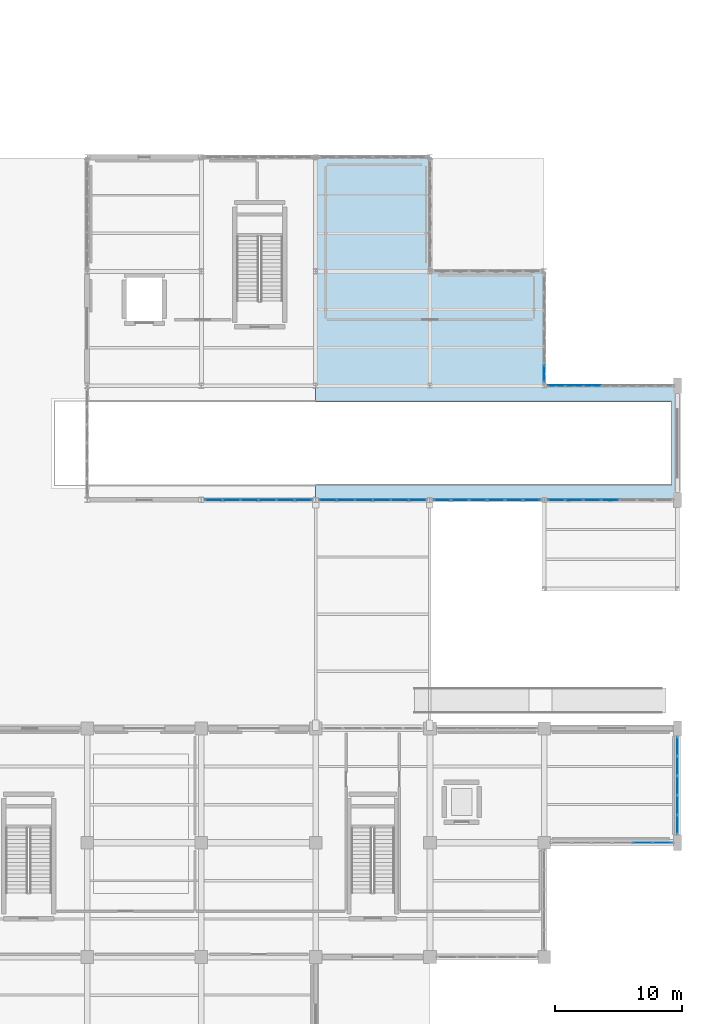
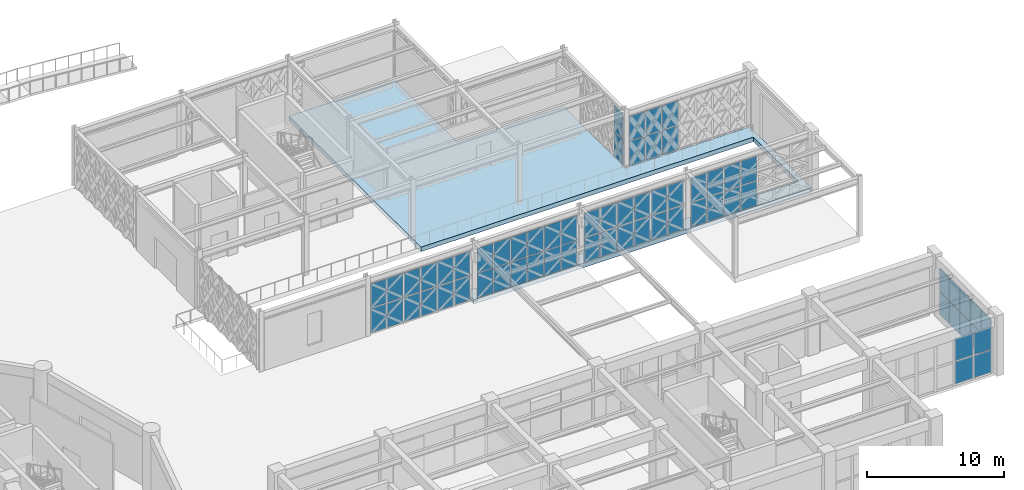
# One storey, part 111 of 140: 66 plates, 1 slab, 8 elements without a shape of their own.
"""IFC4 building model written with IfcOpenShell, lengths in metres."""

from ifc_helpers import new_model, si_unit, direction, frame, origin, origin_2d, place, context, subcontext, project, spatial, polyline, rectangle, outline, extrude, material, layer, layer_set, type_object, element, aggregate, save


model = new_model("IFC4")

# Units and contexts
model_context = context("Model", 3, precision=1e-05, world=origin(), true_north=direction((0.0, 1.0)))
body_context = subcontext(model_context, "Body", "Model", "MODEL_VIEW")
ifc_project = project(units=[si_unit("LENGTHUNIT", "METRE"), si_unit("AREAUNIT", "SQUARE_METRE"), si_unit("VOLUMEUNIT", "CUBIC_METRE"), si_unit("PLANEANGLEUNIT", "RADIAN"), si_unit("MASSUNIT", "GRAM", prefix="KILO")], contexts=[model_context])

# Site, building, storey
site_placement = place(None, origin())
site = spatial("IfcSite", under=ifc_project, at=site_placement, CompositionType="ELEMENT")
building_placement = place(site_placement, origin())
building = spatial("IfcBuilding", under=site, at=building_placement, Name="Haizhuo Lancet Aquarium", CompositionType="ELEMENT")
storey_placement = place(building_placement, origin())
storey = spatial("IfcBuildingStorey", under=building, at=storey_placement, Name="L00", CompositionType="ELEMENT", Elevation=0.0)

# Curtain wall, plates
ifc_material_1 = material(Name="Aluminium 6063-T6", Category="aluminium")
curtain_wall_type_1 = type_object("IfcCurtainWallType", Name="CWO-9610x4220", PredefinedType="NOTDEFINED", material=ifc_material_1)
curtain_wall_1_placement = place(storey_placement, origin())
curtain_wall_1 = element("IfcCurtainWall", 1, at=curtain_wall_1_placement, inside=storey, type_object=curtain_wall_type_1, Name="L00 curtain wall CW-V3-L00-033", PredefinedType="NOTDEFINED")
ifc_material_2 = material(Name="Laminated Low-E Glass", Category="glass")
ifc_layer_1 = layer(ifc_material_2, 0.028076171875)
ifc_layer_set_1 = layer_set([ifc_layer_1], Name="Laminated Low-E Glass")
plate_type_1 = type_object("IfcPlateType", Name="CW-PNL-1", PredefinedType="CURTAIN_PANEL", material=ifc_layer_set_1)
plate_1_placement = place(storey_placement, frame((81.333984375, -18.0, 0.080078125), z_axis=(0.0, 0.0, 1.0), x_axis=(-1.0, 0.0, 0.0)))
plate_1 = element("IfcPlate", 2, at=plate_1_placement, type_object=plate_type_1, Name="CWO-96x42 panel 1.1", PredefinedType="CURTAIN_PANEL", context=body_context, shape_type="SweptSolid", body=[
    extrude(rectangle(XDim=1.48193359375, YDim=0.028076171875, at=origin_2d()), origin(), (0.0, 0.0, 1.0), 1.989990234375),
])
plate_2_placement = place(storey_placement, frame((81.333984375, -18.0, 2.14990234375), z_axis=(0.0, 0.0, 1.0), x_axis=(-1.0, 0.0, 0.0)))
plate_2 = element("IfcPlate", 3, at=plate_2_placement, type_object=plate_type_1, Name="CWO-96x42 panel 1.2", PredefinedType="CURTAIN_PANEL", context=body_context, shape_type="SweptSolid", body=[
    extrude(rectangle(XDim=1.48193359375, YDim=0.028076171875, at=origin_2d()), origin(), (0.0, 0.0, 1.0), 1.989990234375),
])
plate_3_placement = place(storey_placement, frame((79.751953125, -18.0, 0.080078125), z_axis=(0.0, 0.0, 1.0), x_axis=(-1.0, 0.0, 0.0)))
plate_3 = element("IfcPlate", 4, at=plate_3_placement, type_object=plate_type_1, Name="CWO-96x42 panel 2.1", PredefinedType="CURTAIN_PANEL", context=body_context, shape_type="SweptSolid", body=[
    extrude(rectangle(XDim=1.52197265625, YDim=0.028076171875, at=origin_2d()), origin(), (0.0, 0.0, 1.0), 1.989990234375),
])
plate_4_placement = place(storey_placement, frame((79.751953125, -18.0, 2.14990234375), z_axis=(0.0, 0.0, 1.0), x_axis=(-1.0, 0.0, 0.0)))
plate_4 = element("IfcPlate", 5, at=plate_4_placement, type_object=plate_type_1, Name="CWO-96x42 panel 2.2", PredefinedType="CURTAIN_PANEL", context=body_context, shape_type="SweptSolid", body=[
    extrude(rectangle(XDim=1.52197265625, YDim=0.028076171875, at=origin_2d()), origin(), (0.0, 0.0, 1.0), 1.989990234375),
])
aggregate(curtain_wall_1, [plate_1, plate_2, plate_3, plate_4])

curtain_wall_type_2 = type_object("IfcCurtainWallType", Name="CWD-9910x4530", PredefinedType="NOTDEFINED", material=ifc_material_1)
curtain_wall_2_placement = place(storey_placement, origin())
curtain_wall_2 = element("IfcCurtainWall", 6, at=curtain_wall_2_placement, inside=storey, type_object=curtain_wall_type_2, Name="L00 curtain wall CW-V7-L00-277", PredefinedType="NOTDEFINED")
plate_5_placement = place(storey_placement, frame((72.968994140625, 18.0, 0.06494140625), z_axis=(0.0, 0.0, 1.0), x_axis=(1.0, 0.0, 0.0)))
plate_5 = element("IfcPlate", 7, at=plate_5_placement, type_object=plate_type_1, Name="CWD-99x45 panel 1.1", PredefinedType="CURTAIN_PANEL", context=body_context, shape_type="SweptSolid", body=[
    extrude(rectangle(XDim=1.318115234375, YDim=0.028076171875, at=origin_2d()), origin(), (0.0, 0.0, 1.0), 2.16796875),
])
plate_6_placement = place(storey_placement, frame((72.968994140625, 18.0, 2.298583984375), z_axis=(0.0, 0.0, 1.0), x_axis=(1.0, 0.0, 0.0)))
plate_6 = element("IfcPlate", 8, at=plate_6_placement, type_object=plate_type_1, Name="CWD-99x45 panel 1.2", PredefinedType="CURTAIN_PANEL", context=body_context, shape_type="SweptSolid", body=[
    extrude(rectangle(XDim=1.318115234375, YDim=0.028076171875, at=origin_2d()), origin(), (0.0, 0.0, 1.0), 2.1689453125),
])
plate_7_placement = place(storey_placement, frame((74.368896484375, 18.0, 0.06494140625), z_axis=(0.0, 0.0, 1.0), x_axis=(1.0, 0.0, 0.0)))
plate_7 = element("IfcPlate", 9, at=plate_7_placement, type_object=plate_type_1, Name="CWD-99x45 panel 2.1", PredefinedType="CURTAIN_PANEL", context=body_context, shape_type="SweptSolid", body=[
    extrude(rectangle(XDim=1.35107421875, YDim=0.028076171875, at=origin_2d()), origin(), (0.0, 0.0, 1.0), 2.16796875),
])
plate_8_placement = place(storey_placement, frame((74.368896484375, 18.0, 2.298583984375), z_axis=(0.0, 0.0, 1.0), x_axis=(1.0, 0.0, 0.0)))
plate_8 = element("IfcPlate", 10, at=plate_8_placement, type_object=plate_type_1, Name="CWD-99x45 panel 2.2", PredefinedType="CURTAIN_PANEL", context=body_context, shape_type="SweptSolid", body=[
    extrude(rectangle(XDim=1.35107421875, YDim=0.028076171875, at=origin_2d()), origin(), (0.0, 0.0, 1.0), 2.1689453125),
])
plate_9_placement = place(storey_placement, frame((75.783935546875, 18.0, 0.06494140625), z_axis=(0.0, 0.0, 1.0), x_axis=(1.0, 0.0, 0.0)))
plate_9 = element("IfcPlate", 11, at=plate_9_placement, type_object=plate_type_1, Name="CWD-99x45 panel 3.1", PredefinedType="CURTAIN_PANEL", context=body_context, shape_type="SweptSolid", body=[
    extrude(rectangle(XDim=1.35107421875, YDim=0.028076171875, at=origin_2d()), origin(), (0.0, 0.0, 1.0), 2.16796875),
])
plate_10_placement = place(storey_placement, frame((75.783935546875, 18.0, 2.298583984375), z_axis=(0.0, 0.0, 1.0), x_axis=(1.0, 0.0, 0.0)))
plate_10 = element("IfcPlate", 12, at=plate_10_placement, type_object=plate_type_1, Name="CWD-99x45 panel 3.2", PredefinedType="CURTAIN_PANEL", context=body_context, shape_type="SweptSolid", body=[
    extrude(rectangle(XDim=1.35107421875, YDim=0.028076171875, at=origin_2d()), origin(), (0.0, 0.0, 1.0), 2.1689453125),
])
aggregate(curtain_wall_2, [plate_5, plate_6, plate_7, plate_8, plate_9, plate_10])

curtain_wall_type_3 = type_object("IfcCurtainWallType", Name="CWO-8510x4530", PredefinedType="NOTDEFINED", material=ifc_material_1)
curtain_wall_3_placement = place(storey_placement, origin())
curtain_wall_3 = element("IfcCurtainWall", 13, at=curtain_wall_3_placement, inside=storey, type_object=curtain_wall_type_3, Name="L00 curtain wall CW-V7-L00-281", PredefinedType="NOTDEFINED")
plate_11_placement = place(storey_placement, frame((53.027099609375, 9.0, 0.07568359375), z_axis=(0.0, 0.0, 1.0), x_axis=(-1.0, 0.0, 0.0)))
plate_11 = element("IfcPlate", 14, at=plate_11_placement, type_object=plate_type_1, Name="CWO-85x45 panel 1.1", PredefinedType="CURTAIN_PANEL", context=body_context, shape_type="SweptSolid", body=[
    extrude(rectangle(XDim=1.305908203125, YDim=0.028076171875, at=origin_2d()), origin(), (0.0, 0.0, 1.0), 2.153076171875),
])
plate_12_placement = place(storey_placement, frame((53.027099609375, 9.0, 2.302734375), z_axis=(0.0, 0.0, 1.0), x_axis=(-1.0, 0.0, 0.0)))
plate_12 = element("IfcPlate", 15, at=plate_12_placement, type_object=plate_type_1, Name="CWO-85x45 panel 1.2", PredefinedType="CURTAIN_PANEL", context=body_context, shape_type="SweptSolid", body=[
    extrude(rectangle(XDim=1.305908203125, YDim=0.028076171875, at=origin_2d()), origin(), (0.0, 0.0, 1.0), 2.154052734375),
])
plate_13_placement = place(storey_placement, frame((51.626953125, 9.0, 0.07568359375), z_axis=(0.0, 0.0, 1.0), x_axis=(-1.0, 0.0, 0.0)))
plate_13 = element("IfcPlate", 16, at=plate_13_placement, type_object=plate_type_1, Name="CWO-85x45 panel 2.1", PredefinedType="CURTAIN_PANEL", context=body_context, shape_type="SweptSolid", body=[
    extrude(rectangle(XDim=1.343017578125, YDim=0.028076171875, at=origin_2d()), origin(), (0.0, 0.0, 1.0), 2.153076171875),
])
plate_14_placement = place(storey_placement, frame((51.626953125, 9.0, 2.302734375), z_axis=(0.0, 0.0, 1.0), x_axis=(-1.0, 0.0, 0.0)))
plate_14 = element("IfcPlate", 17, at=plate_14_placement, type_object=plate_type_1, Name="CWO-85x45 panel 2.2", PredefinedType="CURTAIN_PANEL", context=body_context, shape_type="SweptSolid", body=[
    extrude(rectangle(XDim=1.343017578125, YDim=0.028076171875, at=origin_2d()), origin(), (0.0, 0.0, 1.0), 2.154052734375),
])
plate_15_placement = place(storey_placement, frame((50.208984375, 9.0, 0.07568359375), z_axis=(0.0, 0.0, 1.0), x_axis=(-1.0, 0.0, 0.0)))
plate_15 = element("IfcPlate", 18, at=plate_15_placement, type_object=plate_type_1, Name="CWO-85x45 panel 3.1", PredefinedType="CURTAIN_PANEL", context=body_context, shape_type="SweptSolid", body=[
    extrude(rectangle(XDim=1.343017578125, YDim=0.028076171875, at=origin_2d()), origin(), (0.0, 0.0, 1.0), 2.153076171875),
])
plate_16_placement = place(storey_placement, frame((50.208984375, 9.0, 2.302734375), z_axis=(0.0, 0.0, 1.0), x_axis=(-1.0, 0.0, 0.0)))
plate_16 = element("IfcPlate", 19, at=plate_16_placement, type_object=plate_type_1, Name="CWO-85x45 panel 3.2", PredefinedType="CURTAIN_PANEL", context=body_context, shape_type="SweptSolid", body=[
    extrude(rectangle(XDim=1.343017578125, YDim=0.028076171875, at=origin_2d()), origin(), (0.0, 0.0, 1.0), 2.154052734375),
])
plate_17_placement = place(storey_placement, frame((48.791015625, 9.0, 0.07568359375), z_axis=(0.0, 0.0, 1.0), x_axis=(-1.0, 0.0, 0.0)))
plate_17 = element("IfcPlate", 20, at=plate_17_placement, type_object=plate_type_1, Name="CWO-85x45 panel 4.1", PredefinedType="CURTAIN_PANEL", context=body_context, shape_type="SweptSolid", body=[
    extrude(rectangle(XDim=1.343017578125, YDim=0.028076171875, at=origin_2d()), origin(), (0.0, 0.0, 1.0), 2.153076171875),
])
plate_18_placement = place(storey_placement, frame((48.791015625, 9.0, 2.302734375), z_axis=(0.0, 0.0, 1.0), x_axis=(-1.0, 0.0, 0.0)))
plate_18 = element("IfcPlate", 21, at=plate_18_placement, type_object=plate_type_1, Name="CWO-85x45 panel 4.2", PredefinedType="CURTAIN_PANEL", context=body_context, shape_type="SweptSolid", body=[
    extrude(rectangle(XDim=1.343017578125, YDim=0.028076171875, at=origin_2d()), origin(), (0.0, 0.0, 1.0), 2.154052734375),
])
plate_19_placement = place(storey_placement, frame((47.373046875, 9.0, 0.07568359375), z_axis=(0.0, 0.0, 1.0), x_axis=(-1.0, 0.0, 0.0)))
plate_19 = element("IfcPlate", 22, at=plate_19_placement, type_object=plate_type_1, Name="CWO-85x45 panel 5.1", PredefinedType="CURTAIN_PANEL", context=body_context, shape_type="SweptSolid", body=[
    extrude(rectangle(XDim=1.343017578125, YDim=0.028076171875, at=origin_2d()), origin(), (0.0, 0.0, 1.0), 2.153076171875),
])
plate_20_placement = place(storey_placement, frame((47.373046875, 9.0, 2.302734375), z_axis=(0.0, 0.0, 1.0), x_axis=(-1.0, 0.0, 0.0)))
plate_20 = element("IfcPlate", 23, at=plate_20_placement, type_object=plate_type_1, Name="CWO-85x45 panel 5.2", PredefinedType="CURTAIN_PANEL", context=body_context, shape_type="SweptSolid", body=[
    extrude(rectangle(XDim=1.343017578125, YDim=0.028076171875, at=origin_2d()), origin(), (0.0, 0.0, 1.0), 2.154052734375),
])
plate_21_placement = place(storey_placement, frame((45.972900390625, 9.0, 0.07568359375), z_axis=(0.0, 0.0, 1.0), x_axis=(-1.0, 0.0, 0.0)))
plate_21 = element("IfcPlate", 24, at=plate_21_placement, type_object=plate_type_1, Name="CWO-85x45 panel 6.1", PredefinedType="CURTAIN_PANEL", context=body_context, shape_type="SweptSolid", body=[
    extrude(rectangle(XDim=1.305908203125, YDim=0.028076171875, at=origin_2d()), origin(), (0.0, 0.0, 1.0), 2.153076171875),
])
plate_22_placement = place(storey_placement, frame((45.972900390625, 9.0, 2.302734375), z_axis=(0.0, 0.0, 1.0), x_axis=(-1.0, 0.0, 0.0)))
plate_22 = element("IfcPlate", 25, at=plate_22_placement, type_object=plate_type_1, Name="CWO-85x45 panel 6.2", PredefinedType="CURTAIN_PANEL", context=body_context, shape_type="SweptSolid", body=[
    extrude(rectangle(XDim=1.305908203125, YDim=0.028076171875, at=origin_2d()), origin(), (0.0, 0.0, 1.0), 2.154052734375),
])
aggregate(curtain_wall_3, [plate_11, plate_12, plate_13, plate_14, plate_15, plate_16, plate_17, plate_18, plate_19, plate_20, plate_21, plate_22])

curtain_wall_type_4 = type_object("IfcCurtainWallType", Name="CWO-9910x4530", PredefinedType="NOTDEFINED", material=ifc_material_1)
curtain_wall_4_placement = place(storey_placement, origin())
curtain_wall_4 = element("IfcCurtainWall", 26, at=curtain_wall_4_placement, inside=storey, type_object=curtain_wall_type_4, Name="L00 curtain wall CW-V7-L00-278", PredefinedType="NOTDEFINED")
ifc_layer_2 = layer(ifc_material_2, 0.033935546875)
ifc_layer_set_2 = layer_set([ifc_layer_2], Name="Laminated Low-E Glass")
plate_type_2 = type_object("IfcPlateType", Name="CW-PNL-2", PredefinedType="CURTAIN_PANEL", material=ifc_layer_set_2)
plate_23_placement = place(storey_placement, frame((77.199951171875, 9.0, 0.07568359375), z_axis=(0.0, 0.0, 1.0), x_axis=(-1.0, 0.0, 0.0)))
plate_23 = element("IfcPlate", 27, at=plate_23_placement, type_object=plate_type_2, Name="CWO-99x45 panel 4.1", PredefinedType="CURTAIN_PANEL", context=body_context, shape_type="SweptSolid", body=[
    extrude(rectangle(XDim=1.341064453125, YDim=0.033935546875, at=origin_2d()), origin(), (0.0, 0.0, 1.0), 2.153076171875),
])
plate_24_placement = place(storey_placement, frame((77.199951171875, 9.0, 2.302734375), z_axis=(0.0, 0.0, 1.0), x_axis=(-1.0, 0.0, 0.0)))
plate_24 = element("IfcPlate", 28, at=plate_24_placement, type_object=plate_type_2, Name="CWO-99x45 panel 4.2", PredefinedType="CURTAIN_PANEL", context=body_context, shape_type="SweptSolid", body=[
    extrude(rectangle(XDim=1.341064453125, YDim=0.033935546875, at=origin_2d()), origin(), (0.0, 0.0, 1.0), 2.154052734375),
])
plate_25_placement = place(storey_placement, frame((75.783935546875, 9.0, 0.07568359375), z_axis=(0.0, 0.0, 1.0), x_axis=(-1.0, 0.0, 0.0)))
plate_25 = element("IfcPlate", 29, at=plate_25_placement, type_object=plate_type_2, Name="CWO-99x45 panel 5.1", PredefinedType="CURTAIN_PANEL", context=body_context, shape_type="SweptSolid", body=[
    extrude(rectangle(XDim=1.341064453125, YDim=0.033935546875, at=origin_2d()), origin(), (0.0, 0.0, 1.0), 2.153076171875),
])
plate_26_placement = place(storey_placement, frame((75.783935546875, 9.0, 2.302734375), z_axis=(0.0, 0.0, 1.0), x_axis=(-1.0, 0.0, 0.0)))
plate_26 = element("IfcPlate", 30, at=plate_26_placement, type_object=plate_type_2, Name="CWO-99x45 panel 5.2", PredefinedType="CURTAIN_PANEL", context=body_context, shape_type="SweptSolid", body=[
    extrude(rectangle(XDim=1.341064453125, YDim=0.033935546875, at=origin_2d()), origin(), (0.0, 0.0, 1.0), 2.154052734375),
])
plate_27_placement = place(storey_placement, frame((74.368896484375, 9.0, 0.07568359375), z_axis=(0.0, 0.0, 1.0), x_axis=(-1.0, 0.0, 0.0)))
plate_27 = element("IfcPlate", 31, at=plate_27_placement, type_object=plate_type_2, Name="CWO-99x45 panel 6.1", PredefinedType="CURTAIN_PANEL", context=body_context, shape_type="SweptSolid", body=[
    extrude(rectangle(XDim=1.341064453125, YDim=0.033935546875, at=origin_2d()), origin(), (0.0, 0.0, 1.0), 2.153076171875),
])
plate_28_placement = place(storey_placement, frame((74.368896484375, 9.0, 2.302734375), z_axis=(0.0, 0.0, 1.0), x_axis=(-1.0, 0.0, 0.0)))
plate_28 = element("IfcPlate", 32, at=plate_28_placement, type_object=plate_type_2, Name="CWO-99x45 panel 6.2", PredefinedType="CURTAIN_PANEL", context=body_context, shape_type="SweptSolid", body=[
    extrude(rectangle(XDim=1.341064453125, YDim=0.033935546875, at=origin_2d()), origin(), (0.0, 0.0, 1.0), 2.154052734375),
])
plate_29_placement = place(storey_placement, frame((72.971923828125, 9.0, 0.07568359375), z_axis=(0.0, 0.0, 1.0), x_axis=(-1.0, 0.0, 0.0)))
plate_29 = element("IfcPlate", 33, at=plate_29_placement, type_object=plate_type_2, Name="CWO-99x45 panel 7.1", PredefinedType="CURTAIN_PANEL", context=body_context, shape_type="SweptSolid", body=[
    extrude(rectangle(XDim=1.302978515625, YDim=0.033935546875, at=origin_2d()), origin(), (0.0, 0.0, 1.0), 2.153076171875),
])
plate_30_placement = place(storey_placement, frame((72.971923828125, 9.0, 2.302734375), z_axis=(0.0, 0.0, 1.0), x_axis=(-1.0, 0.0, 0.0)))
plate_30 = element("IfcPlate", 34, at=plate_30_placement, type_object=plate_type_2, Name="CWO-99x45 panel 7.2", PredefinedType="CURTAIN_PANEL", context=body_context, shape_type="SweptSolid", body=[
    extrude(rectangle(XDim=1.302978515625, YDim=0.033935546875, at=origin_2d()), origin(), (0.0, 0.0, 1.0), 2.154052734375),
])
aggregate(curtain_wall_4, [plate_23, plate_24, plate_25, plate_26, plate_27, plate_28, plate_29, plate_30])

curtain_wall_5_placement = place(storey_placement, origin())
curtain_wall_5 = element("IfcCurtainWall", 35, at=curtain_wall_5_placement, inside=storey, type_object=curtain_wall_type_3, Name="L00 curtain wall CW-V7-L00-279", PredefinedType="NOTDEFINED")
ifc_layer_3 = layer(ifc_material_2, 0.0419921875)
ifc_layer_set_3 = layer_set([ifc_layer_3], Name="Laminated Low-E Glass")
plate_type_3 = type_object("IfcPlateType", Name="CW-PNL-3", PredefinedType="CURTAIN_PANEL", material=ifc_layer_set_3)
plate_31_placement = place(storey_placement, frame((71.02587890625, 9.0, 0.080078125), z_axis=(0.0, 0.0, 1.0), x_axis=(-1.0, 0.0, 0.0)))
plate_31 = element("IfcPlate", 36, at=plate_31_placement, type_object=plate_type_3, Name="CWO-85x45 panel 1.1", PredefinedType="CURTAIN_PANEL", context=body_context, shape_type="SweptSolid", body=[
    extrude(rectangle(XDim=1.298095703125, YDim=0.0419921875, at=origin_2d()), origin(), (0.0, 0.0, 1.0), 2.14599609375),
])
plate_32_placement = place(storey_placement, frame((71.02587890625, 9.0, 2.305908203125), z_axis=(0.0, 0.0, 1.0), x_axis=(-1.0, 0.0, 0.0)))
plate_32 = element("IfcPlate", 37, at=plate_32_placement, type_object=plate_type_3, Name="CWO-85x45 panel 1.2", PredefinedType="CURTAIN_PANEL", context=body_context, shape_type="SweptSolid", body=[
    extrude(rectangle(XDim=1.298095703125, YDim=0.0419921875, at=origin_2d()), origin(), (0.0, 0.0, 1.0), 2.14599609375),
])
plate_33_placement = place(storey_placement, frame((69.626953125, 9.0, 0.080078125), z_axis=(0.0, 0.0, 1.0), x_axis=(-1.0, 0.0, 0.0)))
plate_33 = element("IfcPlate", 38, at=plate_33_placement, type_object=plate_type_3, Name="CWO-85x45 panel 2.1", PredefinedType="CURTAIN_PANEL", context=body_context, shape_type="SweptSolid", body=[
    extrude(rectangle(XDim=1.337890625, YDim=0.0419921875, at=origin_2d()), origin(), (0.0, 0.0, 1.0), 2.14599609375),
])
plate_34_placement = place(storey_placement, frame((69.626953125, 9.0, 2.305908203125), z_axis=(0.0, 0.0, 1.0), x_axis=(-1.0, 0.0, 0.0)))
plate_34 = element("IfcPlate", 39, at=plate_34_placement, type_object=plate_type_3, Name="CWO-85x45 panel 2.2", PredefinedType="CURTAIN_PANEL", context=body_context, shape_type="SweptSolid", body=[
    extrude(rectangle(XDim=1.337890625, YDim=0.0419921875, at=origin_2d()), origin(), (0.0, 0.0, 1.0), 2.14599609375),
])
plate_35_placement = place(storey_placement, frame((68.208984375, 9.0, 0.080078125), z_axis=(0.0, 0.0, 1.0), x_axis=(-1.0, 0.0, 0.0)))
plate_35 = element("IfcPlate", 40, at=plate_35_placement, type_object=plate_type_3, Name="CWO-85x45 panel 3.1", PredefinedType="CURTAIN_PANEL", context=body_context, shape_type="SweptSolid", body=[
    extrude(rectangle(XDim=1.337890625, YDim=0.0419921875, at=origin_2d()), origin(), (0.0, 0.0, 1.0), 2.14599609375),
])
plate_36_placement = place(storey_placement, frame((68.208984375, 9.0, 2.305908203125), z_axis=(0.0, 0.0, 1.0), x_axis=(-1.0, 0.0, 0.0)))
plate_36 = element("IfcPlate", 41, at=plate_36_placement, type_object=plate_type_3, Name="CWO-85x45 panel 3.2", PredefinedType="CURTAIN_PANEL", context=body_context, shape_type="SweptSolid", body=[
    extrude(rectangle(XDim=1.337890625, YDim=0.0419921875, at=origin_2d()), origin(), (0.0, 0.0, 1.0), 2.14599609375),
])
plate_37_placement = place(storey_placement, frame((66.791015625, 9.0, 0.080078125), z_axis=(0.0, 0.0, 1.0), x_axis=(-1.0, 0.0, 0.0)))
plate_37 = element("IfcPlate", 42, at=plate_37_placement, type_object=plate_type_3, Name="CWO-85x45 panel 4.1", PredefinedType="CURTAIN_PANEL", context=body_context, shape_type="SweptSolid", body=[
    extrude(rectangle(XDim=1.337890625, YDim=0.0419921875, at=origin_2d()), origin(), (0.0, 0.0, 1.0), 2.14599609375),
])
plate_38_placement = place(storey_placement, frame((66.791015625, 9.0, 2.305908203125), z_axis=(0.0, 0.0, 1.0), x_axis=(-1.0, 0.0, 0.0)))
plate_38 = element("IfcPlate", 43, at=plate_38_placement, type_object=plate_type_3, Name="CWO-85x45 panel 4.2", PredefinedType="CURTAIN_PANEL", context=body_context, shape_type="SweptSolid", body=[
    extrude(rectangle(XDim=1.337890625, YDim=0.0419921875, at=origin_2d()), origin(), (0.0, 0.0, 1.0), 2.14599609375),
])
plate_39_placement = place(storey_placement, frame((65.373046875, 9.0, 0.080078125), z_axis=(0.0, 0.0, 1.0), x_axis=(-1.0, 0.0, 0.0)))
plate_39 = element("IfcPlate", 44, at=plate_39_placement, type_object=plate_type_3, Name="CWO-85x45 panel 5.1", PredefinedType="CURTAIN_PANEL", context=body_context, shape_type="SweptSolid", body=[
    extrude(rectangle(XDim=1.337890625, YDim=0.0419921875, at=origin_2d()), origin(), (0.0, 0.0, 1.0), 2.14599609375),
])
plate_40_placement = place(storey_placement, frame((65.373046875, 9.0, 2.305908203125), z_axis=(0.0, 0.0, 1.0), x_axis=(-1.0, 0.0, 0.0)))
plate_40 = element("IfcPlate", 45, at=plate_40_placement, type_object=plate_type_3, Name="CWO-85x45 panel 5.2", PredefinedType="CURTAIN_PANEL", context=body_context, shape_type="SweptSolid", body=[
    extrude(rectangle(XDim=1.337890625, YDim=0.0419921875, at=origin_2d()), origin(), (0.0, 0.0, 1.0), 2.14599609375),
])
plate_41_placement = place(storey_placement, frame((63.97412109375, 9.0, 0.080078125), z_axis=(0.0, 0.0, 1.0), x_axis=(-1.0, 0.0, 0.0)))
plate_41 = element("IfcPlate", 46, at=plate_41_placement, type_object=plate_type_3, Name="CWO-85x45 panel 6.1", PredefinedType="CURTAIN_PANEL", context=body_context, shape_type="SweptSolid", body=[
    extrude(rectangle(XDim=1.298095703125, YDim=0.0419921875, at=origin_2d()), origin(), (0.0, 0.0, 1.0), 2.14599609375),
])
plate_42_placement = place(storey_placement, frame((63.97412109375, 9.0, 2.305908203125), z_axis=(0.0, 0.0, 1.0), x_axis=(-1.0, 0.0, 0.0)))
plate_42 = element("IfcPlate", 47, at=plate_42_placement, type_object=plate_type_3, Name="CWO-85x45 panel 6.2", PredefinedType="CURTAIN_PANEL", context=body_context, shape_type="SweptSolid", body=[
    extrude(rectangle(XDim=1.298095703125, YDim=0.0419921875, at=origin_2d()), origin(), (0.0, 0.0, 1.0), 2.14599609375),
])
aggregate(curtain_wall_5, [plate_31, plate_32, plate_33, plate_34, plate_35, plate_36, plate_37, plate_38, plate_39, plate_40, plate_41, plate_42])

curtain_wall_type_5 = type_object("IfcCurtainWallType", Name="CWO-7710x4270", PredefinedType="NOTDEFINED", material=ifc_material_1)
curtain_wall_6_placement = place(storey_placement, origin())
curtain_wall_6 = element("IfcCurtainWall", 48, at=curtain_wall_6_placement, inside=storey, type_object=curtain_wall_type_5, Name="L00 curtain wall CW-V3-L00-032", PredefinedType="NOTDEFINED")
ifc_layer_4 = layer(ifc_material_2, 0.052001953125)
ifc_layer_set_4 = layer_set([ifc_layer_4], Name="Laminated Low-E Glass")
plate_type_4 = type_object("IfcPlateType", Name="CW-PNL-4", PredefinedType="CURTAIN_PANEL", material=ifc_layer_set_4)
plate_43_placement = place(storey_placement, frame((82.5, -10.43505859375, 0.074951171875), z_axis=(0.0, 0.0, 1.0), x_axis=(0.0, -1.0, 0.0)))
plate_43 = element("IfcPlate", 49, at=plate_43_placement, type_object=plate_type_4, Name="CWO-77x42 panel 1.1", PredefinedType="CURTAIN_PANEL", context=body_context, shape_type="SweptSolid", body=[
    extrude(rectangle(XDim=1.429931640625, YDim=0.052001953125, at=origin_2d()), origin(), (0.0, 0.0, 1.0), 2.02197265625),
])
plate_44_placement = place(storey_placement, frame((82.5, -10.43505859375, 2.172607421875), z_axis=(0.0, 0.0, 1.0), x_axis=(0.0, -1.0, 0.0)))
plate_44 = element("IfcPlate", 50, at=plate_44_placement, type_object=plate_type_4, Name="CWO-77x42 panel 1.2", PredefinedType="CURTAIN_PANEL", context=body_context, shape_type="SweptSolid", body=[
    extrude(rectangle(XDim=1.429931640625, YDim=0.052001953125, at=origin_2d()), origin(), (0.0, 0.0, 1.0), 2.02294921875),
])
plate_45_placement = place(storey_placement, frame((82.5, -11.9580078125, 0.074951171875), z_axis=(0.0, 0.0, 1.0), x_axis=(0.0, -1.0, 0.0)))
plate_45 = element("IfcPlate", 51, at=plate_45_placement, type_object=plate_type_4, Name="CWO-77x42 panel 2.1", PredefinedType="CURTAIN_PANEL", context=body_context, shape_type="SweptSolid", body=[
    extrude(rectangle(XDim=1.467041015625, YDim=0.052001953125, at=origin_2d()), origin(), (0.0, 0.0, 1.0), 2.02197265625),
])
plate_46_placement = place(storey_placement, frame((82.5, -11.9580078125, 2.172607421875), z_axis=(0.0, 0.0, 1.0), x_axis=(0.0, -1.0, 0.0)))
plate_46 = element("IfcPlate", 52, at=plate_46_placement, type_object=plate_type_4, Name="CWO-77x42 panel 2.2", PredefinedType="CURTAIN_PANEL", context=body_context, shape_type="SweptSolid", body=[
    extrude(rectangle(XDim=1.467041015625, YDim=0.052001953125, at=origin_2d()), origin(), (0.0, 0.0, 1.0), 2.02294921875),
])
plate_47_placement = place(storey_placement, frame((82.5, -13.5, 0.074951171875), z_axis=(0.0, 0.0, 1.0), x_axis=(0.0, -1.0, 0.0)))
plate_47 = element("IfcPlate", 53, at=plate_47_placement, type_object=plate_type_4, Name="CWO-77x42 panel 3.1", PredefinedType="CURTAIN_PANEL", context=body_context, shape_type="SweptSolid", body=[
    extrude(rectangle(XDim=1.467041015625, YDim=0.052001953125, at=origin_2d()), origin(), (0.0, 0.0, 1.0), 2.02197265625),
])
plate_48_placement = place(storey_placement, frame((82.5, -13.5, 2.172607421875), z_axis=(0.0, 0.0, 1.0), x_axis=(0.0, -1.0, 0.0)))
plate_48 = element("IfcPlate", 54, at=plate_48_placement, type_object=plate_type_4, Name="CWO-77x42 panel 3.2", PredefinedType="CURTAIN_PANEL", context=body_context, shape_type="SweptSolid", body=[
    extrude(rectangle(XDim=1.467041015625, YDim=0.052001953125, at=origin_2d()), origin(), (0.0, 0.0, 1.0), 2.02294921875),
])
plate_49_placement = place(storey_placement, frame((82.5, -15.0419921875, 0.074951171875), z_axis=(0.0, 0.0, 1.0), x_axis=(0.0, -1.0, 0.0)))
plate_49 = element("IfcPlate", 55, at=plate_49_placement, type_object=plate_type_4, Name="CWO-77x42 panel 4.1", PredefinedType="CURTAIN_PANEL", context=body_context, shape_type="SweptSolid", body=[
    extrude(rectangle(XDim=1.467041015625, YDim=0.052001953125, at=origin_2d()), origin(), (0.0, 0.0, 1.0), 2.02197265625),
])
plate_50_placement = place(storey_placement, frame((82.5, -15.0419921875, 2.172607421875), z_axis=(0.0, 0.0, 1.0), x_axis=(0.0, -1.0, 0.0)))
plate_50 = element("IfcPlate", 56, at=plate_50_placement, type_object=plate_type_4, Name="CWO-77x42 panel 4.2", PredefinedType="CURTAIN_PANEL", context=body_context, shape_type="SweptSolid", body=[
    extrude(rectangle(XDim=1.467041015625, YDim=0.052001953125, at=origin_2d()), origin(), (0.0, 0.0, 1.0), 2.02294921875),
])
plate_51_placement = place(storey_placement, frame((82.5, -16.56494140625, 0.074951171875), z_axis=(0.0, 0.0, 1.0), x_axis=(0.0, -1.0, 0.0)))
plate_51 = element("IfcPlate", 57, at=plate_51_placement, type_object=plate_type_4, Name="CWO-77x42 panel 5.1", PredefinedType="CURTAIN_PANEL", context=body_context, shape_type="SweptSolid", body=[
    extrude(rectangle(XDim=1.429931640625, YDim=0.052001953125, at=origin_2d()), origin(), (0.0, 0.0, 1.0), 2.02197265625),
])
plate_52_placement = place(storey_placement, frame((82.5, -16.56494140625, 2.172607421875), z_axis=(0.0, 0.0, 1.0), x_axis=(0.0, -1.0, 0.0)))
plate_52 = element("IfcPlate", 58, at=plate_52_placement, type_object=plate_type_4, Name="CWO-77x42 panel 5.2", PredefinedType="CURTAIN_PANEL", context=body_context, shape_type="SweptSolid", body=[
    extrude(rectangle(XDim=1.429931640625, YDim=0.052001953125, at=origin_2d()), origin(), (0.0, 0.0, 1.0), 2.02294921875),
])
aggregate(curtain_wall_6, [plate_43, plate_44, plate_45, plate_46, plate_47, plate_48, plate_49, plate_50, plate_51, plate_52])

curtain_wall_type_6 = type_object("IfcCurtainWallType", Name="CWD-8510x4630", PredefinedType="NOTDEFINED", material=ifc_material_1)
curtain_wall_7_placement = place(storey_placement, origin())
curtain_wall_7 = element("IfcCurtainWall", 59, at=curtain_wall_7_placement, inside=storey, type_object=curtain_wall_type_6, Name="L00 curtain wall CW-V7-L00-276", PredefinedType="NOTDEFINED")
plate_53_placement = place(storey_placement, frame((72.0, 18.97412109375, 0.080078125), z_axis=(0.0, 0.0, 1.0), x_axis=(0.0, -1.0, 0.0)))
plate_53 = element("IfcPlate", 60, at=plate_53_placement, type_object=plate_type_4, Name="CWD-85x46 panel 6.1", PredefinedType="CURTAIN_PANEL", context=body_context, shape_type="SweptSolid", body=[
    extrude(rectangle(XDim=1.298095703125, YDim=0.052001953125, at=origin_2d()), origin(), (0.0, 0.0, 1.0), 2.196044921875),
])
plate_54_placement = place(storey_placement, frame((72.0, 18.97412109375, 2.35595703125), z_axis=(0.0, 0.0, 1.0), x_axis=(0.0, -1.0, 0.0)))
plate_54 = element("IfcPlate", 61, at=plate_54_placement, type_object=plate_type_4, Name="CWD-85x46 panel 6.2", PredefinedType="CURTAIN_PANEL", context=body_context, shape_type="SweptSolid", body=[
    extrude(rectangle(XDim=1.298095703125, YDim=0.052001953125, at=origin_2d()), origin(), (0.0, 0.0, 1.0), 2.196044921875),
])
aggregate(curtain_wall_7, [plate_53, plate_54])

curtain_wall_8_placement = place(storey_placement, origin())
curtain_wall_8 = element("IfcCurtainWall", 62, at=curtain_wall_8_placement, inside=storey, type_object=curtain_wall_type_3, Name="L00 curtain wall CW-V7-L00-280", PredefinedType="NOTDEFINED")
plate_55_placement = place(storey_placement, frame((62.030029296875, 9.0, 0.06494140625), z_axis=(0.0, 0.0, 1.0), x_axis=(-1.0, 0.0, 0.0)))
plate_55 = element("IfcPlate", 63, at=plate_55_placement, type_object=plate_type_4, Name="CWO-85x45 panel 1.1", PredefinedType="CURTAIN_PANEL", context=body_context, shape_type="SweptSolid", body=[
    extrude(rectangle(XDim=1.321044921875, YDim=0.052001953125, at=origin_2d()), origin(), (0.0, 0.0, 1.0), 2.16796875),
])
plate_56_placement = place(storey_placement, frame((62.030029296875, 9.0, 2.298583984375), z_axis=(0.0, 0.0, 1.0), x_axis=(-1.0, 0.0, 0.0)))
plate_56 = element("IfcPlate", 64, at=plate_56_placement, type_object=plate_type_4, Name="CWO-85x45 panel 1.2", PredefinedType="CURTAIN_PANEL", context=body_context, shape_type="SweptSolid", body=[
    extrude(rectangle(XDim=1.321044921875, YDim=0.052001953125, at=origin_2d()), origin(), (0.0, 0.0, 1.0), 2.1689453125),
])
plate_57_placement = place(storey_placement, frame((60.626953125, 9.0, 0.06494140625), z_axis=(0.0, 0.0, 1.0), x_axis=(-1.0, 0.0, 0.0)))
plate_57 = element("IfcPlate", 65, at=plate_57_placement, type_object=plate_type_4, Name="CWO-85x45 panel 2.1", PredefinedType="CURTAIN_PANEL", context=body_context, shape_type="SweptSolid", body=[
    extrude(rectangle(XDim=1.35302734375, YDim=0.052001953125, at=origin_2d()), origin(), (0.0, 0.0, 1.0), 2.16796875),
])
plate_58_placement = place(storey_placement, frame((60.626953125, 9.0, 2.298583984375), z_axis=(0.0, 0.0, 1.0), x_axis=(-1.0, 0.0, 0.0)))
plate_58 = element("IfcPlate", 66, at=plate_58_placement, type_object=plate_type_4, Name="CWO-85x45 panel 2.2", PredefinedType="CURTAIN_PANEL", context=body_context, shape_type="SweptSolid", body=[
    extrude(rectangle(XDim=1.35302734375, YDim=0.052001953125, at=origin_2d()), origin(), (0.0, 0.0, 1.0), 2.1689453125),
])
plate_59_placement = place(storey_placement, frame((59.208984375, 9.0, 0.06494140625), z_axis=(0.0, 0.0, 1.0), x_axis=(-1.0, 0.0, 0.0)))
plate_59 = element("IfcPlate", 67, at=plate_59_placement, type_object=plate_type_4, Name="CWO-85x45 panel 3.1", PredefinedType="CURTAIN_PANEL", context=body_context, shape_type="SweptSolid", body=[
    extrude(rectangle(XDim=1.35302734375, YDim=0.052001953125, at=origin_2d()), origin(), (0.0, 0.0, 1.0), 2.16796875),
])
plate_60_placement = place(storey_placement, frame((59.208984375, 9.0, 2.298583984375), z_axis=(0.0, 0.0, 1.0), x_axis=(-1.0, 0.0, 0.0)))
plate_60 = element("IfcPlate", 68, at=plate_60_placement, type_object=plate_type_4, Name="CWO-85x45 panel 3.2", PredefinedType="CURTAIN_PANEL", context=body_context, shape_type="SweptSolid", body=[
    extrude(rectangle(XDim=1.35302734375, YDim=0.052001953125, at=origin_2d()), origin(), (0.0, 0.0, 1.0), 2.1689453125),
])
plate_61_placement = place(storey_placement, frame((57.791015625, 9.0, 0.06494140625), z_axis=(0.0, 0.0, 1.0), x_axis=(-1.0, 0.0, 0.0)))
plate_61 = element("IfcPlate", 69, at=plate_61_placement, type_object=plate_type_4, Name="CWO-85x45 panel 4.1", PredefinedType="CURTAIN_PANEL", context=body_context, shape_type="SweptSolid", body=[
    extrude(rectangle(XDim=1.35302734375, YDim=0.052001953125, at=origin_2d()), origin(), (0.0, 0.0, 1.0), 2.16796875),
])
plate_62_placement = place(storey_placement, frame((57.791015625, 9.0, 2.298583984375), z_axis=(0.0, 0.0, 1.0), x_axis=(-1.0, 0.0, 0.0)))
plate_62 = element("IfcPlate", 70, at=plate_62_placement, type_object=plate_type_4, Name="CWO-85x45 panel 4.2", PredefinedType="CURTAIN_PANEL", context=body_context, shape_type="SweptSolid", body=[
    extrude(rectangle(XDim=1.35302734375, YDim=0.052001953125, at=origin_2d()), origin(), (0.0, 0.0, 1.0), 2.1689453125),
])
plate_63_placement = place(storey_placement, frame((56.373046875, 9.0, 0.06494140625), z_axis=(0.0, 0.0, 1.0), x_axis=(-1.0, 0.0, 0.0)))
plate_63 = element("IfcPlate", 71, at=plate_63_placement, type_object=plate_type_4, Name="CWO-85x45 panel 5.1", PredefinedType="CURTAIN_PANEL", context=body_context, shape_type="SweptSolid", body=[
    extrude(rectangle(XDim=1.35302734375, YDim=0.052001953125, at=origin_2d()), origin(), (0.0, 0.0, 1.0), 2.16796875),
])
plate_64_placement = place(storey_placement, frame((56.373046875, 9.0, 2.298583984375), z_axis=(0.0, 0.0, 1.0), x_axis=(-1.0, 0.0, 0.0)))
plate_64 = element("IfcPlate", 72, at=plate_64_placement, type_object=plate_type_4, Name="CWO-85x45 panel 5.2", PredefinedType="CURTAIN_PANEL", context=body_context, shape_type="SweptSolid", body=[
    extrude(rectangle(XDim=1.35302734375, YDim=0.052001953125, at=origin_2d()), origin(), (0.0, 0.0, 1.0), 2.1689453125),
])
plate_65_placement = place(storey_placement, frame((54.969970703125, 9.0, 0.06494140625), z_axis=(0.0, 0.0, 1.0), x_axis=(-1.0, 0.0, 0.0)))
plate_65 = element("IfcPlate", 73, at=plate_65_placement, type_object=plate_type_4, Name="CWO-85x45 panel 6.1", PredefinedType="CURTAIN_PANEL", context=body_context, shape_type="SweptSolid", body=[
    extrude(rectangle(XDim=1.321044921875, YDim=0.052001953125, at=origin_2d()), origin(), (0.0, 0.0, 1.0), 2.16796875),
])
plate_66_placement = place(storey_placement, frame((54.969970703125, 9.0, 2.298583984375), z_axis=(0.0, 0.0, 1.0), x_axis=(-1.0, 0.0, 0.0)))
plate_66 = element("IfcPlate", 74, at=plate_66_placement, type_object=plate_type_4, Name="CWO-85x45 panel 6.2", PredefinedType="CURTAIN_PANEL", context=body_context, shape_type="SweptSolid", body=[
    extrude(rectangle(XDim=1.321044921875, YDim=0.052001953125, at=origin_2d()), origin(), (0.0, 0.0, 1.0), 2.1689453125),
])
aggregate(curtain_wall_8, [plate_55, plate_56, plate_57, plate_58, plate_59, plate_60, plate_61, plate_62, plate_63, plate_64, plate_65, plate_66])

# Slab
ifc_material_3 = material(Name="Concrete C45/55", Category="concrete")
ifc_layer_5 = layer(ifc_material_3, 0.39990234375)
ifc_layer_set_5 = layer_set([ifc_layer_5], Name="Concrete C45/55")
slab_type = type_object("IfcSlabType", Name="SLB-LSS-400", PredefinedType="FLOOR", material=ifc_layer_set_5)
slab_placement = place(storey_placement, frame((0.0, 0.0, -0.39990234375)))
element("IfcSlab", 75, at=slab_placement, inside=storey, type_object=slab_type, Name="L00 structural slab SL-L00-V7-03", PredefinedType="FLOOR", context=body_context, shape_type="SweptSolid", body=[
    extrude(outline(polyline([(54.0, 10.199951171875), (54.0, 9.0), (82.5, 9.0), (82.5, 18.0), (72.0, 18.0), (72.0, 27.0), (63.0, 27.0), (63.0, 36.0), (54.0, 36.0), (54.0, 16.699951171875), (82.050048828125, 16.699951171875), (82.050048828125, 10.199951171875), (54.0, 10.199951171875)])), origin(), (0.0, 0.0, 1.0), 0.39990234375),
])

save(model, "model.ifc")
